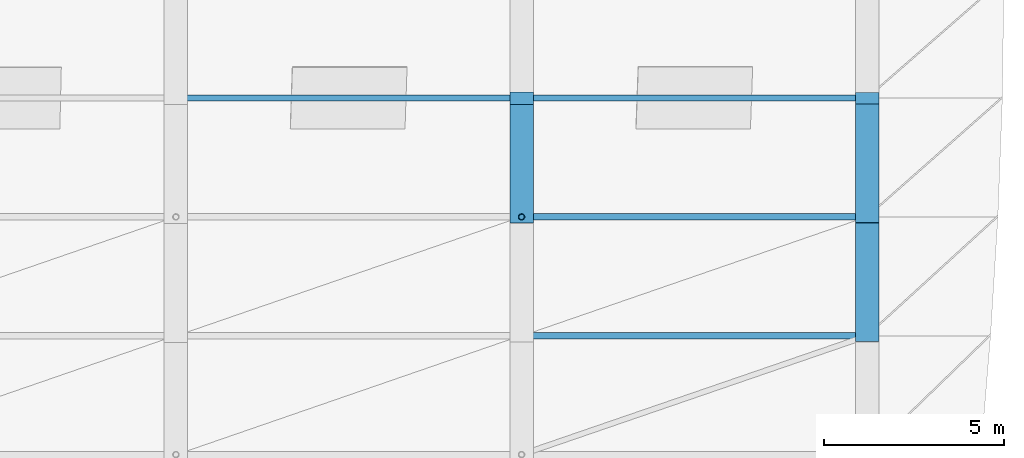
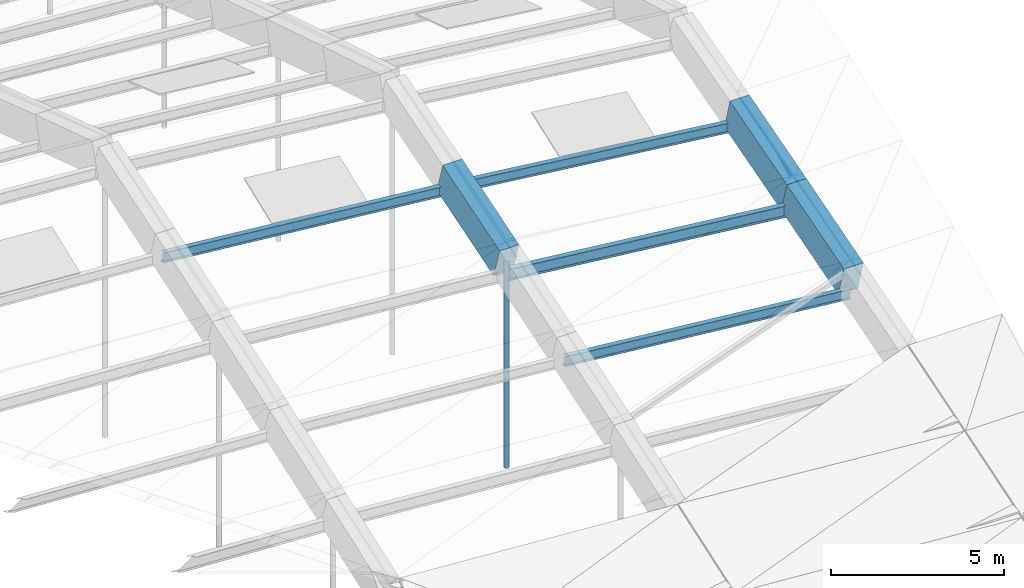
# One storey, part 31 of 43: 5 members, 3 beams.
"""IFC4 building model written with IfcOpenShell, lengths in metres."""

from ifc_helpers import new_model, si_unit, direction, frame, origin, origin_2d, place, context, subcontext, project, spatial, rectangle, hollow_circle, i_section, extrude, material, material_profile, profile_set, type_object, element, save


model = new_model("IFC4")

# Units and contexts
model_context = context("Model", 3, precision=1e-05, world=origin(), true_north=direction((0.0, 1.0)))
body_context = subcontext(model_context, "Body", "Model", "MODEL_VIEW")
ifc_project = project(units=[si_unit("LENGTHUNIT", "METRE"), si_unit("AREAUNIT", "SQUARE_METRE"), si_unit("VOLUMEUNIT", "CUBIC_METRE"), si_unit("PLANEANGLEUNIT", "RADIAN"), si_unit("MASSUNIT", "GRAM", prefix="KILO")], contexts=[model_context])

# Site, building, storey
site_placement = place(None, origin())
site = spatial("IfcSite", under=ifc_project, at=site_placement, CompositionType="ELEMENT")
building_placement = place(site_placement, origin())
building = spatial("IfcBuilding", under=site, at=building_placement, Name="Chalmorin Arch Market", CompositionType="ELEMENT")
storey_placement = place(building_placement, frame((0.0, 0.0, 18.60009765625)))
storey = spatial("IfcBuildingStorey", under=building, at=storey_placement, Name="RF", CompositionType="ELEMENT", Elevation=18.60009765625)

# Member
ifc_material_1 = material(Name="Steel A500 Grade C", Category="steel")
ifc_material_profile_1 = material_profile(ifc_material_1, hollow_circle(Radius=0.084228515625, WallThickness=0.007080078125, at=origin_2d()), Name="CHS168X7")
ifc_profile_set_1 = profile_set([ifc_material_profile_1], Name="Steel A500 Grade C")
member_type_1 = type_object("IfcMemberType", Name="ArchHangerTie-CHS168", PredefinedType="CHORD", material=ifc_profile_set_1)
member_1_placement = place(storey_placement, frame((115.199951171875, 25.800048828125, -3.283447265625), z_axis=(0.0, 0.0, 1.0), x_axis=(1.0, 0.0, 0.0)))
element("IfcMember", 1, at=member_1_placement, inside=storey, type_object=member_type_1, Name="HT-CH168-0179", PredefinedType="CHORD", context=body_context, shape_type="SweptSolid", body=[
    extrude(hollow_circle(Radius=0.084228515625, WallThickness=0.007080078125, at=origin_2d()), origin(), (0.0, 0.0, 1.0), 7.291748046875),
])

# Beams
ifc_material_2 = material(Name="Concrete C50/60", Category="concrete")
ifc_material_profile_2 = material_profile(ifc_material_2, rectangle(XDim=0.64990234375, YDim=1.14990234375, at=origin_2d()), Name="RC650X1150")
ifc_profile_set_2 = profile_set([ifc_material_profile_2], Name="Concrete C50/60")
beam_type = type_object("IfcBeamType", Name="ArchRibChord-650x1150", PredefinedType="BEAM", material=ifc_profile_set_2)
beam_1_placement = place(storey_placement, frame((115.199951171875, 25.800048828125, 4.00830078125), z_axis=(0.0, 0.954782389732, 0.297305546969), x_axis=(-1.0, 0.0, 0.0)))
element("IfcBeam", 2, at=beam_1_placement, inside=storey, type_object=beam_type, Name="AR-01-1724", PredefinedType="BEAM", context=body_context, shape_type="SweptSolid", body=[
    extrude(rectangle(XDim=0.64990234375, YDim=1.14990234375, at=origin_2d()), origin(), (0.0, 0.0, 1.0), 3.456298828125),
])
beam_2_placement = place(storey_placement, frame((124.800048828125, 22.5, 2.002197265625), z_axis=(0.0, 0.959049689051, 0.283237875171), x_axis=(-1.0, 0.0, 0.0)))
element("IfcBeam", 3, at=beam_2_placement, inside=storey, type_object=beam_type, Name="AR-01-1742", PredefinedType="BEAM", context=body_context, shape_type="SweptSolid", body=[
    extrude(rectangle(XDim=0.64990234375, YDim=1.14990234375, at=origin_2d()), origin(), (0.0, 0.0, 1.0), 3.44091796875),
])
beam_3_placement = place(storey_placement, frame((124.800048828125, 25.800048828125, 2.976806640625), z_axis=(0.0, 0.961034131842, 0.276429733269), x_axis=(-1.0, 0.0, 0.0)))
element("IfcBeam", 4, at=beam_3_placement, inside=storey, type_object=beam_type, Name="AR-01-1743", PredefinedType="BEAM", context=body_context, shape_type="SweptSolid", body=[
    extrude(rectangle(XDim=0.64990234375, YDim=1.14990234375, at=origin_2d()), origin(), (0.0, 0.0, 1.0), 3.433837890625),
])

# Members
ifc_material_3 = material(Name="Steel A992 Grade 50", Category="steel")
ifc_material_profile_3 = material_profile(ifc_material_3, i_section(OverallWidth=0.1708984375, OverallDepth=0.35107421875, WebThickness=0.0068359375, FlangeThickness=0.009765625, FilletRadius=0.014892578125, at=origin_2d()), Name="W14X30")
ifc_profile_set_3 = profile_set([ifc_material_profile_3], Name="Steel A992 Grade 50")
member_type_2 = type_object("IfcMemberType", Name="RoofSteelPurlin-W14X30", PredefinedType="PURLIN", material=ifc_profile_set_3)
member_2_placement = place(storey_placement, frame((105.6201171875, 29.10009765625, 5.496826171875), z_axis=(0.995191239387, 0.0, -0.097950993094), x_axis=(0.0, 1.0, 0.0)))
element("IfcMember", 5, at=member_2_placement, inside=storey, type_object=member_type_2, Name="PR-W14-0305", PredefinedType="PURLIN", context=body_context, shape_type="SweptSolid", body=[
    extrude(i_section(OverallWidth=0.1708984375, OverallDepth=0.35107421875, WebThickness=0.0068359375, FlangeThickness=0.009765625, FilletRadius=0.014892578125, at=origin_2d()), origin(), (0.0, 0.0, 1.0), 9.60595703125),
])
member_3_placement = place(storey_placement, frame((115.219970703125, 22.5, 2.47314453125), z_axis=(0.995089386539, 0.0, -0.098980365713), x_axis=(0.0, 1.0, 0.0)))
element("IfcMember", 6, at=member_3_placement, inside=storey, type_object=member_type_2, Name="PR-W14-0320", PredefinedType="PURLIN", context=body_context, shape_type="SweptSolid", body=[
    extrude(i_section(OverallWidth=0.1708984375, OverallDepth=0.35107421875, WebThickness=0.0068359375, FlangeThickness=0.009765625, FilletRadius=0.014892578125, at=origin_2d()), origin(), (0.0, 0.0, 1.0), 9.607177734375),
])
member_4_placement = place(storey_placement, frame((115.219970703125, 29.10009765625, 4.555908203125), z_axis=(0.993328480466, 0.0, -0.115319252061), x_axis=(0.0, 1.0, 0.0)))
element("IfcMember", 7, at=member_4_placement, inside=storey, type_object=member_type_2, Name="PR-W14-0322", PredefinedType="PURLIN", context=body_context, shape_type="SweptSolid", body=[
    extrude(i_section(OverallWidth=0.1708984375, OverallDepth=0.35107421875, WebThickness=0.0068359375, FlangeThickness=0.009765625, FilletRadius=0.014892578125, at=origin_2d()), origin(), (0.0, 0.0, 1.0), 9.624267578125),
])
ifc_material_profile_4 = material_profile(ifc_material_3, i_section(OverallWidth=0.178955078125, OverallDepth=0.409912109375, WebThickness=0.0087890625, FlangeThickness=0.014404296875, FilletRadius=0.01806640625, at=origin_2d()), Name="W16X45")
ifc_profile_set_4 = profile_set([ifc_material_profile_4], Name="Steel A992 Grade 50")
member_type_3 = type_object("IfcMemberType", Name="RoofSteelPurlin-W16X45", PredefinedType="PURLIN", material=ifc_profile_set_4)
member_5_placement = place(storey_placement, frame((115.219970703125, 25.800048828125, 3.5283203125), z_axis=(0.994229537793, 0.0, -0.1072736043), x_axis=(0.0, 1.0, 0.0)))
element("IfcMember", 8, at=member_5_placement, inside=storey, type_object=member_type_3, Name="PR-W16-0321", PredefinedType="PURLIN", context=body_context, shape_type="SweptSolid", body=[
    extrude(i_section(OverallWidth=0.178955078125, OverallDepth=0.409912109375, WebThickness=0.0087890625, FlangeThickness=0.014404296875, FilletRadius=0.01806640625, at=origin_2d()), origin(), (0.0, 0.0, 1.0), 9.615478515625),
])

save(model, "model.ifc")
